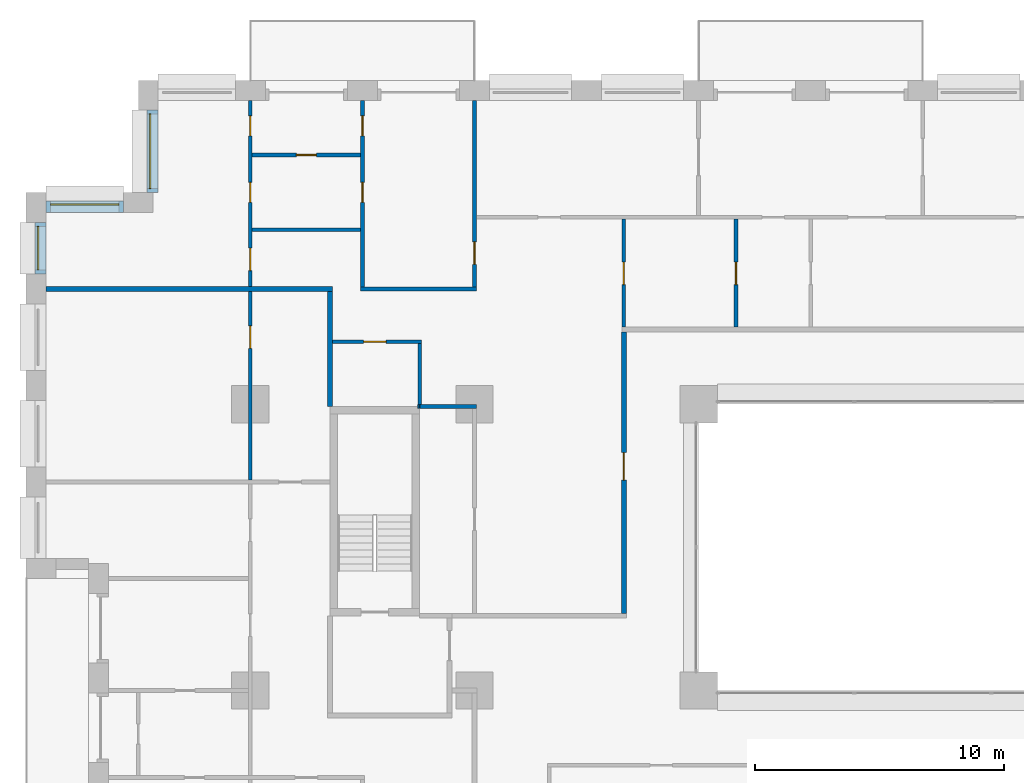
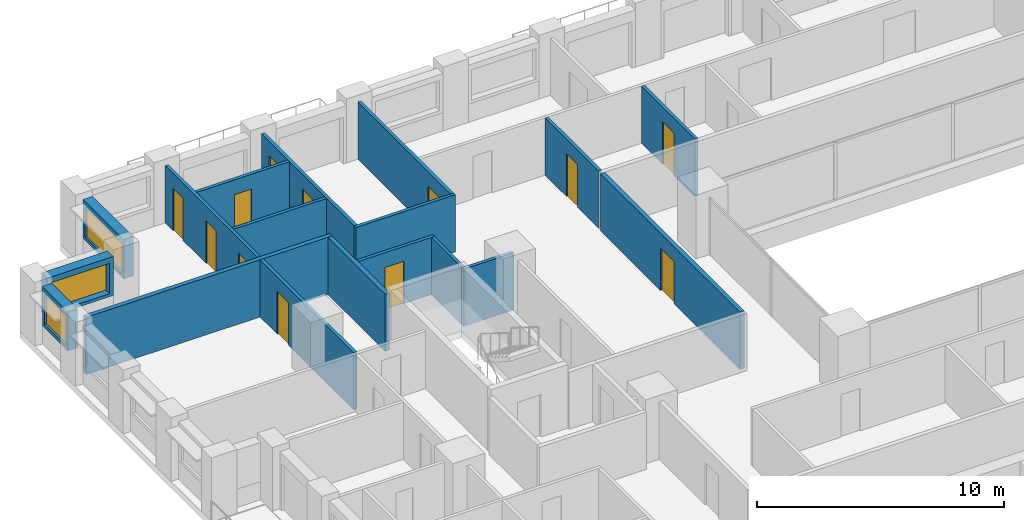
# One storey, part 13 of 20: 19 walls, 12 doors, 3 windows, 15 openings.
"""IFC4 building model written with IfcOpenShell, lengths in metres."""

from ifc_helpers import new_model, si_unit, direction, frame, frame_2d, origin, place, context, subcontext, project, spatial, rectangle, extrude, material, layer, layer_set, type_object, element, fill, save


model = new_model("IFC4")

# Units and contexts
model_context = context("Model", 3, precision=1e-05, world=origin(), true_north=direction((0.0, 1.0)))
body_context = subcontext(model_context, "Body", "Model", "MODEL_VIEW")
ifc_project = project(units=[si_unit("LENGTHUNIT", "METRE"), si_unit("AREAUNIT", "SQUARE_METRE"), si_unit("VOLUMEUNIT", "CUBIC_METRE"), si_unit("PLANEANGLEUNIT", "RADIAN"), si_unit("MASSUNIT", "GRAM", prefix="KILO")], contexts=[model_context])

# Site, building, storey
site_placement = place(None, origin())
site = spatial("IfcSite", under=ifc_project, at=site_placement, CompositionType="ELEMENT")
building_placement = place(site_placement, origin())
building = spatial("IfcBuilding", under=site, at=building_placement, Name="Brigalow Station Residences", CompositionType="ELEMENT")
storey_placement = place(building_placement, frame((0.0, 0.0, 66.75)))
storey = spatial("IfcBuildingStorey", under=building, at=storey_placement, Name="L19", CompositionType="ELEMENT", Elevation=66.75)

# Wall, opening, window
ifc_material_1 = material(Name="Clay brick masonry", Category="masonry")
ifc_layer_1 = layer(ifc_material_1, 0.449951171875)
ifc_layer_set_1 = layer_set([ifc_layer_1], Name="BRICK INFILL WALL 450")
wall_type_1 = type_object("IfcWallType", Name="BRICK INFILL WALL 450", PredefinedType="SOLIDWALL", material=ifc_layer_set_1)
wall_1_placement = place(storey_placement, frame((5.074951171875, 47.300048828125, 0.89990234375), z_axis=(0.0, 0.0, 1.0), x_axis=(0.0, -1.0, 0.0)))
wall_1 = element("IfcWall", 1, at=wall_1_placement, inside=storey, type_object=wall_type_1, Name="L19/ewall/W-L19-40", PredefinedType="SOLIDWALL", context=body_context, shape_type="SweptSolid", body=[
    extrude(rectangle(XDim=3.300048828125, YDim=0.449951171875, at=frame_2d((1.64990234375, 0.0))), origin(), (0.0, 0.0, 1.0), 1.93017578125),
])
opening_1_placement = place(wall_1_placement, frame((0.14990234375, 0.0, 0.14990234375)))
opening_1 = element("IfcOpeningElement", 2, at=opening_1_placement, cuts=wall_1, Name="Opening WT-2", PredefinedType="OPENING", context=body_context, shape_type="SweptSolid", body=[
    extrude(rectangle(XDim=3.0, YDim=1.5, at=frame_2d((1.5, 0.75))), frame((0.0, 0.23486328125, 0.0), z_axis=(0.0, -1.0, 0.0), x_axis=(1.0, 0.0, 0.0)), (0.0, 0.0, 1.0), 0.469970703125),
])
ifc_material_2 = material(Name="Anodised aluminium frame with double glazing", Category="aluminium")
window_type_1 = type_object("IfcWindowType", Name="WINDOW 3000x1500", PartitioningType="SINGLE_PANEL", PredefinedType="WINDOW", material=ifc_material_2)
window_1_placement = place(opening_1_placement, origin())
window_1 = element("IfcWindow", 3, at=window_1_placement, inside=storey, type_object=window_type_1, Name="L19/window/W-L19-40", OverallHeight=1.5, OverallWidth=3.0, PartitioningType="SINGLE_PANEL", PredefinedType="WINDOW", context=body_context, shape_type="SweptSolid", body=[
    extrude(rectangle(XDim=3.0, YDim=1.5, at=frame_2d((1.5, 0.75))), frame((0.0, -0.06494140625, 0.0), z_axis=(0.0, -1.0, 0.0), x_axis=(1.0, 0.0, 0.0)), (0.0, 0.0, 1.0), 0.06005859375),
])
fill(opening_1, window_1)

wall_2_placement = place(storey_placement, frame((3.89990234375, 43.425048828125, 0.89990234375), z_axis=(0.0, 0.0, 1.0), x_axis=(-1.0, 0.0, 0.0)))
wall_2 = element("IfcWall", 4, at=wall_2_placement, inside=storey, type_object=wall_type_1, Name="L19/ewall/W-L19-41", PredefinedType="SOLIDWALL", context=body_context, shape_type="SweptSolid", body=[
    extrude(rectangle(XDim=3.099853515625, YDim=0.449951171875, at=frame_2d((1.5498046875, 0.0))), origin(), (0.0, 0.0, 1.0), 1.93017578125),
])
opening_2_placement = place(wall_2_placement, frame((0.175048828125, 0.0, 0.14990234375)))
opening_2 = element("IfcOpeningElement", 5, at=opening_2_placement, cuts=wall_2, Name="Opening WT-3", PredefinedType="OPENING", context=body_context, shape_type="SweptSolid", body=[
    extrude(rectangle(XDim=2.75, YDim=1.5, at=frame_2d((1.375, 0.75))), frame((0.0, 0.23486328125, 0.0), z_axis=(0.0, -1.0, 0.0), x_axis=(1.0, 0.0, 0.0)), (0.0, 0.0, 1.0), 0.469970703125),
])
ifc_material_3 = material(Name="Anodised aluminium frame with double glazing", Category="aluminium")
window_type_2 = type_object("IfcWindowType", Name="WINDOW 2750x1500", PartitioningType="SINGLE_PANEL", PredefinedType="WINDOW", material=ifc_material_3)
window_2_placement = place(opening_2_placement, origin())
window_2 = element("IfcWindow", 6, at=window_2_placement, inside=storey, type_object=window_type_2, Name="L19/window/W-L19-41", OverallHeight=1.5, OverallWidth=2.75, PartitioningType="SINGLE_PANEL", PredefinedType="WINDOW", context=body_context, shape_type="SweptSolid", body=[
    extrude(rectangle(XDim=2.75, YDim=1.5, at=frame_2d((1.375, 0.75))), frame((0.0, -0.06494140625, 0.0), z_axis=(0.0, -1.0, 0.0), x_axis=(1.0, 0.0, 0.0)), (0.0, 0.0, 1.0), 0.06005859375),
])
fill(opening_2, window_2)

wall_3_placement = place(storey_placement, frame((0.574951171875, 42.800048828125, 0.89990234375), z_axis=(0.0, 0.0, 1.0), x_axis=(0.0, -1.0, 0.0)))
wall_3 = element("IfcWall", 7, at=wall_3_placement, inside=storey, type_object=wall_type_1, Name="L19/ewall/W-L19-42", PredefinedType="SOLIDWALL", context=body_context, shape_type="SweptSolid", body=[
    extrude(rectangle(XDim=2.074951171875, YDim=0.449951171875, at=frame_2d((1.03759765625, 0.0))), origin(), (0.0, 0.0, 1.0), 1.93017578125),
])
opening_3_placement = place(wall_3_placement, frame((0.16259765625, 0.0, 0.14990234375)))
opening_3 = element("IfcOpeningElement", 8, at=opening_3_placement, cuts=wall_3, Name="Opening WT-4", PredefinedType="OPENING", context=body_context, shape_type="SweptSolid", body=[
    extrude(rectangle(XDim=1.75, YDim=1.5, at=frame_2d((0.875, 0.75))), frame((0.0, 0.23486328125, 0.0), z_axis=(0.0, -1.0, 0.0), x_axis=(1.0, 0.0, 0.0)), (0.0, 0.0, 1.0), 0.469970703125),
])
ifc_material_4 = material(Name="Anodised aluminium frame with double glazing", Category="aluminium")
window_type_3 = type_object("IfcWindowType", Name="WINDOW 1750x1500", PartitioningType="SINGLE_PANEL", PredefinedType="WINDOW", material=ifc_material_4)
window_3_placement = place(opening_3_placement, origin())
window_3 = element("IfcWindow", 9, at=window_3_placement, inside=storey, type_object=window_type_3, Name="L19/window/W-L19-42", OverallHeight=1.5, OverallWidth=1.75, PartitioningType="SINGLE_PANEL", PredefinedType="WINDOW", context=body_context, shape_type="SweptSolid", body=[
    extrude(rectangle(XDim=1.75, YDim=1.5, at=frame_2d((0.875, 0.75))), frame((0.0, -0.06494140625, 0.0), z_axis=(0.0, -1.0, 0.0), x_axis=(1.0, 0.0, 0.0)), (0.0, 0.0, 1.0), 0.06005859375),
])
fill(opening_3, window_3)

# Walls
ifc_material_5 = material(Name="Plasterboard on steel stud partition", Category="steel")
ifc_layer_2 = layer(ifc_material_5, 0.14990234375)
ifc_layer_set_2 = layer_set([ifc_layer_2], Name="FLAT PARTITION 150")
wall_type_2 = type_object("IfcWallType", Name="FLAT PARTITION 150", PredefinedType="PARTITIONING", material=ifc_layer_set_2)
wall_4_placement = place(storey_placement, frame((13.425048828125, 40.125, 0.0), z_axis=(0.0, 0.0, 1.0), x_axis=(1.0, 0.0, 0.0)))
element("IfcWall", 10, at=wall_4_placement, inside=storey, type_object=wall_type_2, Name="PW-1G24", PredefinedType="PARTITIONING", context=body_context, shape_type="SweptSolid", body=[
    extrude(rectangle(XDim=4.64990234375, YDim=0.14990234375, at=frame_2d((2.324951171875, 0.0))), origin(), (0.0, 0.0, 1.0), 2.830078125),
])
wall_5_placement = place(storey_placement, frame((15.72509765625, 35.39990234375, 0.0), z_axis=(0.0, 0.0, 1.0), x_axis=(1.0, 0.0, 0.0)))
element("IfcWall", 11, at=wall_5_placement, inside=storey, type_object=wall_type_2, Name="PW-1G29", PredefinedType="PARTITIONING", context=body_context, shape_type="SweptSolid", body=[
    extrude(rectangle(XDim=0.074951171875, YDim=0.14990234375, at=frame_2d((0.03759765625, 0.0))), origin(), (0.0, 0.0, 1.0), 2.830078125),
])
wall_6_placement = place(storey_placement, frame((15.800048828125, 35.39990234375, 0.0), z_axis=(0.0, 0.0, 1.0), x_axis=(1.0, 0.0, 0.0)))
element("IfcWall", 12, at=wall_6_placement, inside=storey, type_object=wall_type_2, Name="PW-1G30", PredefinedType="PARTITIONING", context=body_context, shape_type="SweptSolid", body=[
    extrude(rectangle(XDim=2.27490234375, YDim=0.14990234375, at=frame_2d((1.137451171875, 0.0))), origin(), (0.0, 0.0, 1.0), 2.830078125),
])

# Wall, opening, door
wall_7_placement = place(storey_placement, frame((12.300048828125, 38.0, 0.0), z_axis=(0.0, 0.0, 1.0), x_axis=(1.0, 0.0, 0.0)))
wall_7 = element("IfcWall", 13, at=wall_7_placement, inside=storey, type_object=wall_type_2, Name="PW-1G34", PredefinedType="PARTITIONING", context=body_context, shape_type="SweptSolid", body=[
    extrude(rectangle(XDim=3.574951171875, YDim=0.14990234375, at=frame_2d((1.78759765625, 0.0))), origin(), (0.0, 0.0, 1.0), 2.830078125),
])
opening_4_placement = place(wall_7_placement, frame((1.25, 0.0, 0.0)))
opening_4 = element("IfcOpeningElement", 14, at=opening_4_placement, cuts=wall_7, Name="Opening D-1G32", PredefinedType="OPENING", context=body_context, shape_type="SweptSolid", body=[
    extrude(rectangle(XDim=0.89990234375, YDim=2.10009765625, at=frame_2d((0.449951171875, 1.050048828125))), frame((0.0, 0.0849609375, 0.0), z_axis=(0.0, -1.0, 0.0), x_axis=(1.0, 0.0, 0.0)), (0.0, 0.0, 1.0), 0.169921875),
])
ifc_material_6 = material(Name="Solid-core timber door leaf", Category="wood")
door_type_1 = type_object("IfcDoorType", Name="INTERNAL DOOR 900 x 2100", OperationType="SINGLE_SWING_LEFT", PredefinedType="DOOR", material=ifc_material_6)
door_1_placement = place(opening_4_placement, frame((0.89990234375, 0.0, 0.0), z_axis=(0.0, 0.0, 1.0), x_axis=(-1.0, 0.0, 0.0)))
door_1 = element("IfcDoor", 15, at=door_1_placement, inside=storey, type_object=door_type_1, Name="D-1G32", OperationType="SINGLE_SWING_RIGHT", OverallHeight=2.10009765625, OverallWidth=0.89990234375, PredefinedType="DOOR", context=body_context, shape_type="SweptSolid", body=[
    extrude(rectangle(XDim=0.89990234375, YDim=2.10009765625, at=frame_2d((0.449951171875, 1.050048828125))), frame((0.0, 0.02490234375, 0.0), z_axis=(0.0, -1.0, 0.0), x_axis=(1.0, 0.0, 0.0)), (0.0, 0.0, 1.0), 0.050048828125),
])
fill(opening_4, door_1)

# Wall
wall_8_placement = place(storey_placement, frame((9.074951171875, 42.5, 0.0), z_axis=(0.0, 0.0, 1.0), x_axis=(1.0, 0.0, 0.0)))
element("IfcWall", 16, at=wall_8_placement, inside=storey, type_object=wall_type_2, Name="PW-1G35", PredefinedType="PARTITIONING", context=body_context, shape_type="SweptSolid", body=[
    extrude(rectangle(XDim=4.35009765625, YDim=0.14990234375, at=frame_2d((2.175048828125, 0.0))), origin(), (0.0, 0.0, 1.0), 2.830078125),
])

# Wall, opening, door
wall_9_placement = place(storey_placement, frame((9.074951171875, 45.5, 0.0), z_axis=(0.0, 0.0, 1.0), x_axis=(1.0, 0.0, 0.0)))
wall_9 = element("IfcWall", 17, at=wall_9_placement, inside=storey, type_object=wall_type_2, Name="PW-1G36", PredefinedType="PARTITIONING", context=body_context, shape_type="SweptSolid", body=[
    extrude(rectangle(XDim=4.35009765625, YDim=0.14990234375, at=frame_2d((2.175048828125, 0.0))), origin(), (0.0, 0.0, 1.0), 2.830078125),
])
opening_5_placement = place(wall_9_placement, frame((1.77490234375, 0.0, 0.0)))
opening_5 = element("IfcOpeningElement", 18, at=opening_5_placement, cuts=wall_9, Name="Opening D-1G25", PredefinedType="OPENING", context=body_context, shape_type="SweptSolid", body=[
    extrude(rectangle(XDim=0.800048828125, YDim=2.10009765625, at=frame_2d((0.39990234375, 1.050048828125))), frame((0.0, 0.0849609375, 0.0), z_axis=(0.0, -1.0, 0.0), x_axis=(1.0, 0.0, 0.0)), (0.0, 0.0, 1.0), 0.169921875),
])
ifc_material_7 = material(Name="Solid-core timber door leaf", Category="wood")
door_type_2 = type_object("IfcDoorType", Name="INTERNAL DOOR 800 x 2100", OperationType="SINGLE_SWING_LEFT", PredefinedType="DOOR", material=ifc_material_7)
door_2_placement = place(opening_5_placement, origin())
door_2 = element("IfcDoor", 19, at=door_2_placement, inside=storey, type_object=door_type_2, Name="D-1G25", OperationType="SINGLE_SWING_RIGHT", OverallHeight=2.10009765625, OverallWidth=0.800048828125, PredefinedType="DOOR", context=body_context, shape_type="SweptSolid", body=[
    extrude(rectangle(XDim=0.800048828125, YDim=2.10009765625, at=frame_2d((0.39990234375, 1.050048828125))), frame((0.0, 0.02490234375, 0.0), z_axis=(0.0, -1.0, 0.0), x_axis=(1.0, 0.0, 0.0)), (0.0, 0.0, 1.0), 0.050048828125),
])
fill(opening_5, door_2)

wall_10_placement = place(storey_placement, frame((18.0, 40.199951171875, 0.0), z_axis=(0.0, 0.0, 1.0), x_axis=(0.0, 1.0, 0.0)))
wall_10 = element("IfcWall", 20, at=wall_10_placement, inside=storey, type_object=wall_type_2, Name="PW-1G40", PredefinedType="PARTITIONING", context=body_context, shape_type="SweptSolid", body=[
    extrude(rectangle(XDim=7.5, YDim=0.14990234375, at=frame_2d((3.75, 0.0))), origin(), (0.0, 0.0, 1.0), 2.830078125),
])
opening_6_placement = place(wall_10_placement, frame((0.912109375, 0.0, 0.0)))
opening_6 = element("IfcOpeningElement", 21, at=opening_6_placement, cuts=wall_10, Name="Opening D-1G20", PredefinedType="OPENING", context=body_context, shape_type="SweptSolid", body=[
    extrude(rectangle(XDim=0.89990234375, YDim=2.10009765625, at=frame_2d((0.449951171875, 1.050048828125))), frame((0.0, 0.0849609375, 0.0), z_axis=(0.0, -1.0, 0.0), x_axis=(1.0, 0.0, 0.0)), (0.0, 0.0, 1.0), 0.169921875),
])
door_3_placement = place(opening_6_placement, origin())
door_3 = element("IfcDoor", 22, at=door_3_placement, inside=storey, type_object=door_type_1, Name="D-1G20", OperationType="SINGLE_SWING_LEFT", OverallHeight=2.10009765625, OverallWidth=0.89990234375, PredefinedType="DOOR", context=body_context, shape_type="SweptSolid", body=[
    extrude(rectangle(XDim=0.89990234375, YDim=2.10009765625, at=frame_2d((0.449951171875, 1.050048828125))), frame((0.0, 0.02490234375, 0.0), z_axis=(0.0, -1.0, 0.0), x_axis=(1.0, 0.0, 0.0)), (0.0, 0.0, 1.0), 0.050048828125),
])
fill(opening_6, door_3)

wall_11_placement = place(storey_placement, frame((24.0, 38.60009765625, 0.0), z_axis=(0.0, 0.0, 1.0), x_axis=(0.0, 1.0, 0.0)))
wall_11 = element("IfcWall", 23, at=wall_11_placement, inside=storey, type_object=wall_type_2, Name="PW-1G47", PredefinedType="PARTITIONING", context=body_context, shape_type="SweptSolid", body=[
    extrude(rectangle(XDim=4.324951171875, YDim=0.14990234375, at=frame_2d((2.16259765625, 0.0))), origin(), (0.0, 0.0, 1.0), 2.830078125),
])
opening_7_placement = place(wall_11_placement, frame((1.699951171875, 0.0, 0.0)))
opening_7 = element("IfcOpeningElement", 24, at=opening_7_placement, cuts=wall_11, Name="Opening D-1G28", PredefinedType="OPENING", context=body_context, shape_type="SweptSolid", body=[
    extrude(rectangle(XDim=0.89990234375, YDim=2.10009765625, at=frame_2d((0.449951171875, 1.050048828125))), frame((0.0, 0.0849609375, 0.0), z_axis=(0.0, -1.0, 0.0), x_axis=(1.0, 0.0, 0.0)), (0.0, 0.0, 1.0), 0.169921875),
])
door_4_placement = place(opening_7_placement, frame((0.89990234375, 0.0, 0.0), z_axis=(0.0, 0.0, 1.0), x_axis=(-1.0, 0.0, 0.0)))
door_4 = element("IfcDoor", 25, at=door_4_placement, inside=storey, type_object=door_type_1, Name="D-1G28", OperationType="SINGLE_SWING_RIGHT", OverallHeight=2.10009765625, OverallWidth=0.89990234375, PredefinedType="DOOR", context=body_context, shape_type="SweptSolid", body=[
    extrude(rectangle(XDim=0.89990234375, YDim=2.10009765625, at=frame_2d((0.449951171875, 1.050048828125))), frame((0.0, 0.02490234375, 0.0), z_axis=(0.0, -1.0, 0.0), x_axis=(1.0, 0.0, 0.0)), (0.0, 0.0, 1.0), 0.050048828125),
])
fill(opening_7, door_4)

# Wall, openings, doors
wall_12_placement = place(storey_placement, frame((13.5, 40.199951171875, 0.0), z_axis=(0.0, 0.0, 1.0), x_axis=(0.0, 1.0, 0.0)))
wall_12 = element("IfcWall", 26, at=wall_12_placement, inside=storey, type_object=wall_type_2, Name="PW-1G52", PredefinedType="PARTITIONING", context=body_context, shape_type="SweptSolid", body=[
    extrude(rectangle(XDim=7.5, YDim=0.14990234375, at=frame_2d((3.75, 0.0))), origin(), (0.0, 0.0, 1.0), 2.830078125),
])
opening_8_placement = place(wall_12_placement, frame((6.074951171875, 0.0, 0.0)))
opening_8 = element("IfcOpeningElement", 27, at=opening_8_placement, cuts=wall_12, Name="Opening D-1G18", PredefinedType="OPENING", context=body_context, shape_type="SweptSolid", body=[
    extrude(rectangle(XDim=0.800048828125, YDim=2.10009765625, at=frame_2d((0.39990234375, 1.050048828125))), frame((0.0, 0.0849609375, 0.0), z_axis=(0.0, -1.0, 0.0), x_axis=(1.0, 0.0, 0.0)), (0.0, 0.0, 1.0), 0.169921875),
])
opening_9_placement = place(wall_12_placement, frame((3.39990234375, 0.0, 0.0)))
opening_9 = element("IfcOpeningElement", 28, at=opening_9_placement, cuts=wall_12, Name="Opening D-1G19", PredefinedType="OPENING", context=body_context, shape_type="SweptSolid", body=[
    extrude(rectangle(XDim=0.800048828125, YDim=2.10009765625, at=frame_2d((0.39990234375, 1.050048828125))), frame((0.0, 0.0849609375, 0.0), z_axis=(0.0, -1.0, 0.0), x_axis=(1.0, 0.0, 0.0)), (0.0, 0.0, 1.0), 0.169921875),
])
door_5_placement = place(opening_8_placement, origin())
door_5 = element("IfcDoor", 29, at=door_5_placement, inside=storey, type_object=door_type_2, Name="D-1G18", OperationType="SINGLE_SWING_RIGHT", OverallHeight=2.10009765625, OverallWidth=0.800048828125, PredefinedType="DOOR", context=body_context, shape_type="SweptSolid", body=[
    extrude(rectangle(XDim=0.800048828125, YDim=2.10009765625, at=frame_2d((0.39990234375, 1.050048828125))), frame((0.0, 0.02490234375, 0.0), z_axis=(0.0, -1.0, 0.0), x_axis=(1.0, 0.0, 0.0)), (0.0, 0.0, 1.0), 0.050048828125),
])
fill(opening_8, door_5)
door_6_placement = place(opening_9_placement, origin())
door_6 = element("IfcDoor", 30, at=door_6_placement, inside=storey, type_object=door_type_2, Name="D-1G19", OperationType="SINGLE_SWING_RIGHT", OverallHeight=2.10009765625, OverallWidth=0.800048828125, PredefinedType="DOOR", context=body_context, shape_type="SweptSolid", body=[
    extrude(rectangle(XDim=0.800048828125, YDim=2.10009765625, at=frame_2d((0.39990234375, 1.050048828125))), frame((0.0, 0.02490234375, 0.0), z_axis=(0.0, -1.0, 0.0), x_axis=(1.0, 0.0, 0.0)), (0.0, 0.0, 1.0), 0.050048828125),
])
fill(opening_9, door_6)

# Wall, opening, door
wall_13_placement = place(storey_placement, frame((9.0, 32.449951171875, 0.0), z_axis=(0.0, 0.0, 1.0), x_axis=(0.0, 1.0, 0.0)))
wall_13 = element("IfcWall", 31, at=wall_13_placement, inside=storey, type_object=wall_type_2, Name="PW-1G57", PredefinedType="PARTITIONING", context=body_context, shape_type="SweptSolid", body=[
    extrude(rectangle(XDim=7.574951171875, YDim=0.14990234375, at=frame_2d((3.78759765625, 0.0))), origin(), (0.0, 0.0, 1.0), 2.830078125),
])
opening_10_placement = place(wall_13_placement, frame((5.2880859375, 0.0, 0.0)))
opening_10 = element("IfcOpeningElement", 32, at=opening_10_placement, cuts=wall_13, Name="Opening D-1G16", PredefinedType="OPENING", context=body_context, shape_type="SweptSolid", body=[
    extrude(rectangle(XDim=0.89990234375, YDim=2.10009765625, at=frame_2d((0.449951171875, 1.050048828125))), frame((0.0, 0.0849609375, 0.0), z_axis=(0.0, -1.0, 0.0), x_axis=(1.0, 0.0, 0.0)), (0.0, 0.0, 1.0), 0.169921875),
])
door_7_placement = place(opening_10_placement, frame((0.89990234375, 0.0, 0.0), z_axis=(0.0, 0.0, 1.0), x_axis=(-1.0, 0.0, 0.0)))
door_7 = element("IfcDoor", 33, at=door_7_placement, inside=storey, type_object=door_type_1, Name="D-1G16", OperationType="SINGLE_SWING_LEFT", OverallHeight=2.10009765625, OverallWidth=0.89990234375, PredefinedType="DOOR", context=body_context, shape_type="SweptSolid", body=[
    extrude(rectangle(XDim=0.89990234375, YDim=2.10009765625, at=frame_2d((0.449951171875, 1.050048828125))), frame((0.0, 0.02490234375, 0.0), z_axis=(0.0, -1.0, 0.0), x_axis=(1.0, 0.0, 0.0)), (0.0, 0.0, 1.0), 0.050048828125),
])
fill(opening_10, door_7)

# Wall, openings, doors
wall_14_placement = place(storey_placement, frame((9.0, 40.22509765625, 0.0), z_axis=(0.0, 0.0, 1.0), x_axis=(0.0, 1.0, 0.0)))
wall_14 = element("IfcWall", 34, at=wall_14_placement, inside=storey, type_object=wall_type_2, Name="PW-1G58", PredefinedType="PARTITIONING", context=body_context, shape_type="SweptSolid", body=[
    extrude(rectangle(XDim=7.474853515625, YDim=0.14990234375, at=frame_2d((3.7373046875, 0.0))), origin(), (0.0, 0.0, 1.0), 2.830078125),
])
opening_11_placement = place(wall_14_placement, frame((6.050048828125, 0.0, 0.0)))
opening_11 = element("IfcOpeningElement", 35, at=opening_11_placement, cuts=wall_14, Name="Opening D-1G26", PredefinedType="OPENING", context=body_context, shape_type="SweptSolid", body=[
    extrude(rectangle(XDim=0.800048828125, YDim=2.10009765625, at=frame_2d((0.39990234375, 1.050048828125))), frame((0.0, 0.0849609375, 0.0), z_axis=(0.0, -1.0, 0.0), x_axis=(1.0, 0.0, 0.0)), (0.0, 0.0, 1.0), 0.169921875),
])
opening_12_placement = place(wall_14_placement, frame((3.375, 0.0, 0.0)))
opening_12 = element("IfcOpeningElement", 36, at=opening_12_placement, cuts=wall_14, Name="Opening D-1G27", PredefinedType="OPENING", context=body_context, shape_type="SweptSolid", body=[
    extrude(rectangle(XDim=0.800048828125, YDim=2.10009765625, at=frame_2d((0.39990234375, 1.050048828125))), frame((0.0, 0.0849609375, 0.0), z_axis=(0.0, -1.0, 0.0), x_axis=(1.0, 0.0, 0.0)), (0.0, 0.0, 1.0), 0.169921875),
])
opening_13_placement = place(wall_14_placement, frame((0.636962890625, 0.0, 0.0)))
opening_13 = element("IfcOpeningElement", 37, at=opening_13_placement, cuts=wall_14, Name="Opening D-1G31", PredefinedType="OPENING", context=body_context, shape_type="SweptSolid", body=[
    extrude(rectangle(XDim=0.89990234375, YDim=2.10009765625, at=frame_2d((0.449951171875, 1.050048828125))), frame((0.0, 0.0849609375, 0.0), z_axis=(0.0, -1.0, 0.0), x_axis=(1.0, 0.0, 0.0)), (0.0, 0.0, 1.0), 0.169921875),
])
door_8_placement = place(opening_11_placement, frame((0.800048828125, 0.0, 0.0), z_axis=(0.0, 0.0, 1.0), x_axis=(-1.0, 0.0, 0.0)))
door_8 = element("IfcDoor", 38, at=door_8_placement, inside=storey, type_object=door_type_2, Name="D-1G26", OperationType="SINGLE_SWING_LEFT", OverallHeight=2.10009765625, OverallWidth=0.800048828125, PredefinedType="DOOR", context=body_context, shape_type="SweptSolid", body=[
    extrude(rectangle(XDim=0.800048828125, YDim=2.10009765625, at=frame_2d((0.39990234375, 1.050048828125))), frame((0.0, 0.02490234375, 0.0), z_axis=(0.0, -1.0, 0.0), x_axis=(1.0, 0.0, 0.0)), (0.0, 0.0, 1.0), 0.050048828125),
])
fill(opening_11, door_8)
door_9_placement = place(opening_12_placement, frame((0.800048828125, 0.0, 0.0), z_axis=(0.0, 0.0, 1.0), x_axis=(-1.0, 0.0, 0.0)))
door_9 = element("IfcDoor", 39, at=door_9_placement, inside=storey, type_object=door_type_2, Name="D-1G27", OperationType="SINGLE_SWING_LEFT", OverallHeight=2.10009765625, OverallWidth=0.800048828125, PredefinedType="DOOR", context=body_context, shape_type="SweptSolid", body=[
    extrude(rectangle(XDim=0.800048828125, YDim=2.10009765625, at=frame_2d((0.39990234375, 1.050048828125))), frame((0.0, 0.02490234375, 0.0), z_axis=(0.0, -1.0, 0.0), x_axis=(1.0, 0.0, 0.0)), (0.0, 0.0, 1.0), 0.050048828125),
])
fill(opening_12, door_9)
door_10_placement = place(opening_13_placement, origin())
door_10 = element("IfcDoor", 40, at=door_10_placement, inside=storey, type_object=door_type_1, Name="D-1G31", OperationType="SINGLE_SWING_LEFT", OverallHeight=2.10009765625, OverallWidth=0.89990234375, PredefinedType="DOOR", context=body_context, shape_type="SweptSolid", body=[
    extrude(rectangle(XDim=0.89990234375, YDim=2.10009765625, at=frame_2d((0.449951171875, 1.050048828125))), frame((0.0, 0.02490234375, 0.0), z_axis=(0.0, -1.0, 0.0), x_axis=(1.0, 0.0, 0.0)), (0.0, 0.0, 1.0), 0.050048828125),
])
fill(opening_13, door_10)

# Wall
wall_15_placement = place(storey_placement, frame((15.800048828125, 35.47509765625, 0.0), z_axis=(0.0, 0.0, 1.0), x_axis=(0.0, 1.0, 0.0)))
element("IfcWall", 41, at=wall_15_placement, inside=storey, type_object=wall_type_2, Name="PW-1G60", PredefinedType="PARTITIONING", context=body_context, shape_type="SweptSolid", body=[
    extrude(rectangle(XDim=2.449951171875, YDim=0.14990234375, at=frame_2d((1.22509765625, 0.0))), origin(), (0.0, 0.0, 1.0), 2.830078125),
])

# Wall, opening, door
wall_16_placement = place(storey_placement, frame((28.5, 38.60009765625, 0.0), z_axis=(0.0, 0.0, 1.0), x_axis=(0.0, 1.0, 0.0)))
wall_16 = element("IfcWall", 42, at=wall_16_placement, inside=storey, type_object=wall_type_2, Name="PW-1G62", PredefinedType="PARTITIONING", context=body_context, shape_type="SweptSolid", body=[
    extrude(rectangle(XDim=4.324951171875, YDim=0.14990234375, at=frame_2d((2.16259765625, 0.0))), origin(), (0.0, 0.0, 1.0), 2.830078125),
])
opening_14_placement = place(wall_16_placement, frame((1.699951171875, 0.0, 0.0)))
opening_14 = element("IfcOpeningElement", 43, at=opening_14_placement, cuts=wall_16, Name="Opening D-1G33", PredefinedType="OPENING", context=body_context, shape_type="SweptSolid", body=[
    extrude(rectangle(XDim=0.89990234375, YDim=2.10009765625, at=frame_2d((0.449951171875, 1.050048828125))), frame((0.0, 0.0849609375, 0.0), z_axis=(0.0, -1.0, 0.0), x_axis=(1.0, 0.0, 0.0)), (0.0, 0.0, 1.0), 0.169921875),
])
door_11_placement = place(opening_14_placement, frame((0.89990234375, 0.0, 0.0), z_axis=(0.0, 0.0, 1.0), x_axis=(-1.0, 0.0, 0.0)))
door_11 = element("IfcDoor", 44, at=door_11_placement, inside=storey, type_object=door_type_1, Name="D-1G33", OperationType="SINGLE_SWING_RIGHT", OverallHeight=2.10009765625, OverallWidth=0.89990234375, PredefinedType="DOOR", context=body_context, shape_type="SweptSolid", body=[
    extrude(rectangle(XDim=0.89990234375, YDim=2.10009765625, at=frame_2d((0.449951171875, 1.050048828125))), frame((0.0, 0.02490234375, 0.0), z_axis=(0.0, -1.0, 0.0), x_axis=(1.0, 0.0, 0.0)), (0.0, 0.0, 1.0), 0.050048828125),
])
fill(opening_14, door_11)

# Wall
ifc_material_8 = material(Name="Plasterboard on steel stud partition", Category="steel")
ifc_layer_3 = layer(ifc_material_8, 0.199951171875)
ifc_layer_set_3 = layer_set([ifc_layer_3], Name="PARTY AND CORRIDOR WALL 200")
wall_type_3 = type_object("IfcWallType", Name="PARTY AND CORRIDOR WALL 200", PredefinedType="PARTITIONING", material=ifc_layer_set_3)
wall_17_placement = place(storey_placement, frame((0.800048828125, 40.125, 0.0), z_axis=(0.0, 0.0, 1.0), x_axis=(1.0, 0.0, 0.0)))
element("IfcWall", 45, at=wall_17_placement, inside=storey, type_object=wall_type_3, Name="PW-1G26", PredefinedType="PARTITIONING", context=body_context, shape_type="SweptSolid", body=[
    extrude(rectangle(XDim=11.5, YDim=0.199951171875, at=frame_2d((5.75, 0.0))), origin(), (0.0, 0.0, 1.0), 2.830078125),
])

# Wall, opening, door
wall_18_placement = place(storey_placement, frame((24.0, 27.10009765625, 0.0), z_axis=(0.0, 0.0, 1.0), x_axis=(0.0, 1.0, 0.0)))
wall_18 = element("IfcWall", 46, at=wall_18_placement, inside=storey, type_object=wall_type_3, Name="PW-1G48", PredefinedType="PARTITIONING", context=body_context, shape_type="SweptSolid", body=[
    extrude(rectangle(XDim=11.2998046875, YDim=0.199951171875, at=frame_2d((5.64990234375, 0.0))), origin(), (0.0, 0.0, 1.0), 2.830078125),
])
opening_15_placement = place(wall_18_placement, frame((5.35009765625, 0.0, 0.0)))
opening_15 = element("IfcOpeningElement", 47, at=opening_15_placement, cuts=wall_18, Name="Opening D-1G36", PredefinedType="OPENING", context=body_context, shape_type="SweptSolid", body=[
    extrude(rectangle(XDim=1.10009765625, YDim=2.10009765625, at=frame_2d((0.550048828125, 1.050048828125))), frame((0.0, 0.10986328125, 0.0), z_axis=(0.0, -1.0, 0.0), x_axis=(1.0, 0.0, 0.0)), (0.0, 0.0, 1.0), 0.219970703125),
])
ifc_material_9 = material(Name="Solid-core timber door leaf", Category="wood")
door_type_3 = type_object("IfcDoorType", Name="FLAT ENTRANCE DOOR 1100 x 2100 FRL -/60/30", OperationType="SINGLE_SWING_LEFT", PredefinedType="DOOR", material=ifc_material_9)
door_12_placement = place(opening_15_placement, origin())
door_12 = element("IfcDoor", 48, at=door_12_placement, inside=storey, type_object=door_type_3, Name="D-1G36", OperationType="SINGLE_SWING_LEFT", OverallHeight=2.10009765625, OverallWidth=1.10009765625, PredefinedType="DOOR", context=body_context, shape_type="SweptSolid", body=[
    extrude(rectangle(XDim=1.10009765625, YDim=2.10009765625, at=frame_2d((0.550048828125, 1.050048828125))), frame((0.0, 0.02490234375, 0.0), z_axis=(0.0, -1.0, 0.0), x_axis=(1.0, 0.0, 0.0)), (0.0, 0.0, 1.0), 0.050048828125),
])
fill(opening_15, door_12)

# Wall
wall_19_placement = place(storey_placement, frame((12.199951171875, 35.39990234375, 0.0), z_axis=(0.0, 0.0, 1.0), x_axis=(0.0, 1.0, 0.0)))
element("IfcWall", 49, at=wall_19_placement, inside=storey, type_object=wall_type_3, Name="PW-1G59", PredefinedType="PARTITIONING", context=body_context, shape_type="SweptSolid", body=[
    extrude(rectangle(XDim=4.625, YDim=0.199951171875, at=frame_2d((2.3125, 0.0))), origin(), (0.0, 0.0, 1.0), 2.830078125),
])

save(model, "model.ifc")
